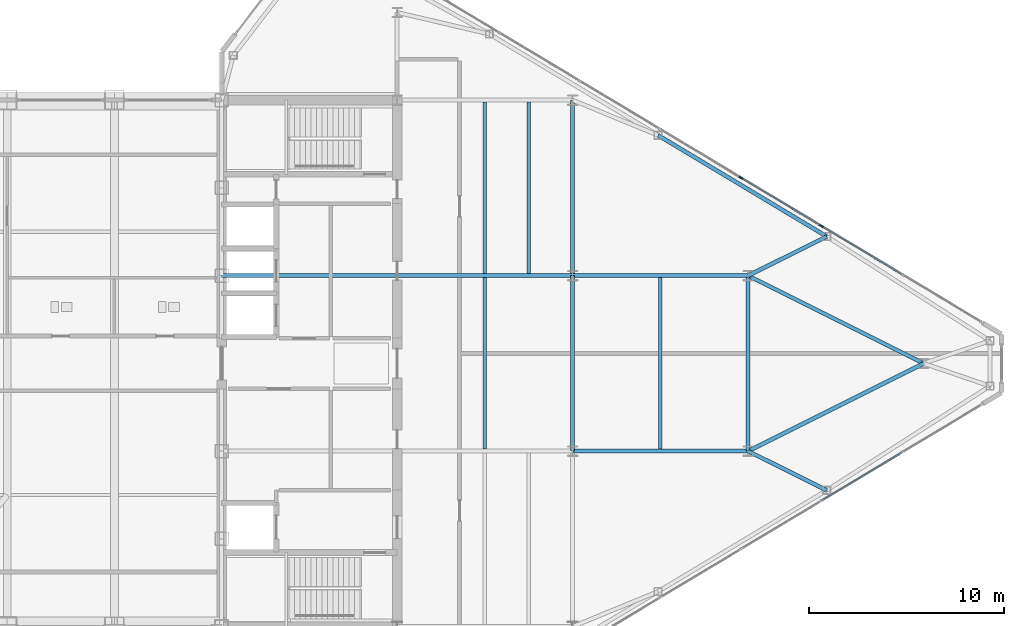
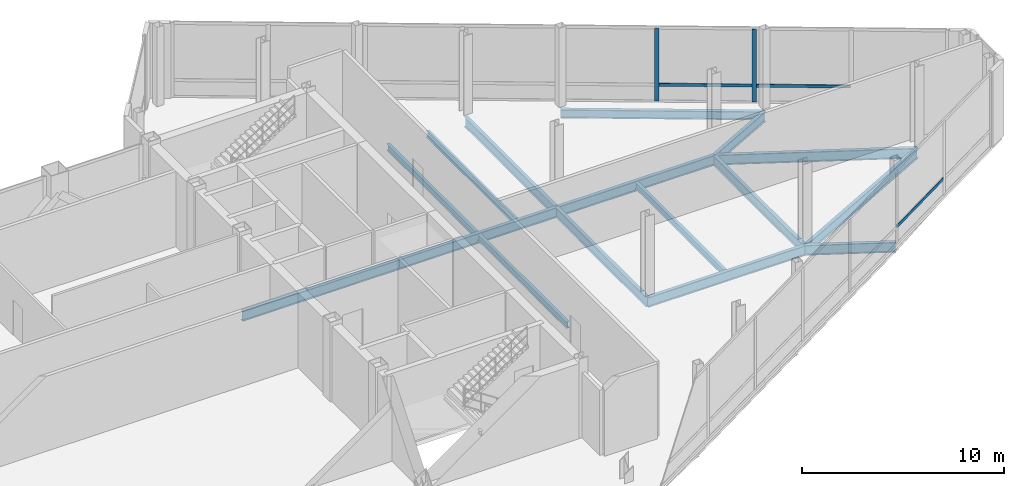
# One storey, part 15 of 29: 16 beams, 5 members, 2 elements without a shape of their own.
"""IFC4 building model written with IfcOpenShell, lengths in metres."""

from ifc_helpers import new_model, si_unit, direction, frame, origin, origin_2d, place, context, subcontext, project, spatial, rectangle, i_section, extrude, source, transform, mapped, material, layer, layer_set, material_profile, profile_set, type_object, type_shapes, element, aggregate, save


model = new_model("IFC4")

# Units and contexts
model_context = context("Model", 3, precision=1e-05, world=origin(), true_north=direction((0.0, 1.0)))
body_context = subcontext(model_context, "Body", "Model", "MODEL_VIEW")
ifc_project = project(units=[si_unit("LENGTHUNIT", "METRE"), si_unit("AREAUNIT", "SQUARE_METRE"), si_unit("VOLUMEUNIT", "CUBIC_METRE"), si_unit("PLANEANGLEUNIT", "RADIAN"), si_unit("MASSUNIT", "GRAM", prefix="KILO")], contexts=[model_context])

# Site, building, storey
site_placement = place(None, origin())
site = spatial("IfcSite", under=ifc_project, at=site_placement, CompositionType="ELEMENT")
building_placement = place(site_placement, origin())
building = spatial("IfcBuilding", under=site, at=building_placement, Name="Seokmaru Belvedere", CompositionType="ELEMENT")
storey_placement = place(building_placement, frame((0.0, 0.0, 229.800048828125)))
storey = spatial("IfcBuildingStorey", under=building, at=storey_placement, Name="L61", CompositionType="ELEMENT", Elevation=229.800048828125)

# Beams
ifc_material_1 = material(Name="Steel SM355 (355 MPa)", Category="steel")
ifc_material_profile_1 = material_profile(ifc_material_1, i_section(OverallWidth=0.199951171875, OverallDepth=0.60009765625, WebThickness=0.010986328125, FlangeThickness=0.01708984375, at=origin_2d()), Name="H-600x200x11x17")
ifc_profile_set_1 = profile_set([ifc_material_profile_1], Name="Steel SM355 (355 MPa)")
beam_type_1 = type_object("IfcBeamType", Name="Primary Floor Girder H-600", PredefinedType="BEAM", material=ifc_profile_set_1)
shared_shape_1 = source(origin(), body_context, "Body", "SweptSolid", [
    extrude(i_section(OverallWidth=0.199951171875, OverallDepth=0.60009765625, WebThickness=0.010986328125, FlangeThickness=0.01708984375, at=origin_2d()), origin(), (0.0, 0.0, 1.0), 9.0),
])
for number, where, z_axis, x_axis, name in (
    (1, (45.5, -4.5, -0.56005859375), (0.0, 1.0, 0.0), (-1.0, 0.0, 0.0), "L61 E Interior Grid Girder 2"),
    (2, (45.5, 4.5, -0.56005859375), (0.0, 1.0, 0.0), (-1.0, 0.0, 0.0), "L61 E Interior Grid Girder 3"),
    (3, (27.5, 4.5, -0.56005859375), (1.0, 0.0, 0.0), (0.0, 1.0, 0.0), "L61 E Core Tie Girder 3"),
    (4, (36.5, 4.5, -0.56005859375), (1.0, 0.0, 0.0), (0.0, 1.0, 0.0), "L61 E Wing Primary Girder 3"),
    (5, (45.5, -4.5, -0.56005859375), (1.0, 0.0, 0.0), (0.0, 1.0, 0.0), "L61 E Outer Wing Girder 1"),
    (6, (45.5, 4.5, -0.56005859375), (1.0, 0.0, 0.0), (0.0, 1.0, 0.0), "L61 E Outer Wing Girder 2"),
    (7, (54.5, -4.5, -0.56005859375), (0.0, 1.0, 0.0), (-1.0, 0.0, 0.0), "L61 E Apex Frame Girder"),
):
    element("IfcBeam", number, at=place(storey_placement, frame(where, z_axis=z_axis, x_axis=x_axis)), inside=storey, type_object=beam_type_1, Name=name, PredefinedType="BEAM", context=body_context, shape_type="MappedRepresentation", body=[
        mapped(shared_shape_1, transform((0.0, 0.0, 0.0), scale=1.0)),
    ])
shared_shape_2 = source(origin(), body_context, "Body", "SweptSolid", [
    extrude(i_section(OverallWidth=0.199951171875, OverallDepth=0.60009765625, WebThickness=0.010986328125, FlangeThickness=0.01708984375, at=origin_2d()), origin(), (0.0, 0.0, 1.0), 10.062255859375),
])
for number, where, z_axis, x_axis, name in (
    (8, (54.5, -4.5, -0.56005859375), (0.894427191, 0.4472135955, 0.0), (-0.4472135955, 0.894427191, 0.0), "L61 E Apex Converging Girder 1"),
    (9, (54.5, 4.5, -0.56005859375), (0.894427191, -0.4472135955, 0.0), (0.4472135955, 0.894427191, 0.0), "L61 E Apex Converging Girder 2"),
):
    element("IfcBeam", number, at=place(storey_placement, frame(where, z_axis=z_axis, x_axis=x_axis)), inside=storey, type_object=beam_type_1, Name=name, PredefinedType="BEAM", context=body_context, shape_type="MappedRepresentation", body=[
        mapped(shared_shape_2, transform((0.0, 0.0, 0.0), scale=1.0)),
    ])
ifc_material_profile_2 = material_profile(ifc_material_1, i_section(OverallWidth=0.18505859375, OverallDepth=0.389892578125, WebThickness=0.008056640625, FlangeThickness=0.011962890625, at=origin_2d()), Name="H-390x185x8x12")
ifc_profile_set_2 = profile_set([ifc_material_profile_2], Name="Steel SM355 (355 MPa)")
beam_type_2 = type_object("IfcBeamType", Name="Secondary Floor Joist H-350", PredefinedType="JOIST", material=ifc_profile_set_2)
shared_shape_3 = source(origin(), body_context, "Body", "SweptSolid", [
    extrude(i_section(OverallWidth=0.18505859375, OverallDepth=0.389892578125, WebThickness=0.008056640625, FlangeThickness=0.011962890625, at=origin_2d()), origin(), (0.0, 0.0, 1.0), 8.7900390625),
])
type_shapes(beam_type_2, [shared_shape_3])
for number, where, z_axis, x_axis, name in (
    (10, (43.25, 4.60498046875, -0.455078125), (0.0, 1.0, 0.0), (-1.0, 0.0, 0.0), "L61 E Wing Inner Secondary Joist 2"),
    (11, (41.0, -4.39501953125, -0.455078125), (0.0, 1.0, 0.0), (-1.0, 0.0, 0.0), "L61 E Secondary Floor Joist 2"),
    (12, (41.0, 4.60498046875, -0.455078125), (0.0, 1.0, 0.0), (-1.0, 0.0, 0.0), "L61 E Secondary Floor Joist 3"),
    (13, (50.0, -4.39501953125, -0.455078125), (0.0, 1.0, 0.0), (-1.0, 0.0, 0.0), "L61 E Outer Bay Secondary Joist"),
):
    element("IfcBeam", number, at=place(storey_placement, frame(where, z_axis=z_axis, x_axis=x_axis)), inside=storey, type_object=beam_type_2, Name=name, PredefinedType="JOIST", context=body_context, shape_type="MappedRepresentation", body=[
        mapped(shared_shape_3, transform((0.0, 0.0, 0.0), scale=1.0)),
    ])
ifc_material_profile_3 = material_profile(ifc_material_1, i_section(OverallWidth=0.199951171875, OverallDepth=0.5, WebThickness=0.010009765625, FlangeThickness=0.01611328125, at=origin_2d()), Name="H-500x200x10x16")
ifc_profile_set_3 = profile_set([ifc_material_profile_3], Name="Steel SM355 (355 MPa)")
beam_type_3 = type_object("IfcBeamType", Name="Perimeter Spandrel Beam H-500", PredefinedType="SPANDREL", material=ifc_profile_set_3)
shared_shape_4 = source(origin(), body_context, "Body", "SweptSolid", [
    extrude(i_section(OverallWidth=0.199951171875, OverallDepth=0.5, WebThickness=0.010009765625, FlangeThickness=0.01611328125, at=origin_2d()), origin(), (0.0, 0.0, 1.0), 10.087646484375),
])
type_shapes(beam_type_3, [shared_shape_4])
beam_placement = place(storey_placement, frame((49.8798828125, 11.698974609375, -0.510009765625), z_axis=(0.857488654804, -0.514502873542, 0.0), x_axis=(0.514502873542, 0.857488654804, 0.0)))
element("IfcBeam", 14, at=beam_placement, inside=storey, type_object=beam_type_3, Name="L61 E Faceted Flank Spandrel N-3", PredefinedType="SPANDREL", context=body_context, shape_type="MappedRepresentation", body=[
    mapped(shared_shape_4, transform((0.0, 0.0, 0.0), scale=1.0)),
])
shared_shape_5 = source(origin(), body_context, "Body", "SweptSolid", [
    extrude(i_section(OverallWidth=0.199951171875, OverallDepth=0.60009765625, WebThickness=0.010986328125, FlangeThickness=0.01708984375, at=origin_2d()), origin(), (0.0, 0.0, 1.0), 4.5029296875),
])
type_shapes(beam_type_1, [shared_shape_1, shared_shape_2, shared_shape_5])
for number, where, z_axis, x_axis, name in (
    (15, (58.530029296875, -6.5087890625, -0.56005859375), (-0.894979532585, 0.446107202648, 0.0), (-0.446107202648, -0.894979532585, 0.0), "L61 E Flank Radial Floor Girder S-3"),
    (16, (58.530029296875, 6.5087890625, -0.56005859375), (-0.894979532585, -0.446107202648, 0.0), (0.446107202648, -0.894979532585, 0.0), "L61 E Flank Radial Floor Girder N-3"),
):
    element("IfcBeam", number, at=place(storey_placement, frame(where, z_axis=z_axis, x_axis=x_axis)), inside=storey, type_object=beam_type_1, Name=name, PredefinedType="BEAM", context=body_context, shape_type="MappedRepresentation", body=[
        mapped(shared_shape_5, transform((0.0, 0.0, 0.0), scale=1.0)),
    ])

# Curtain wall, members
ifc_material_2 = material(Name="Bronze Triple Insulating Glass", Category="glass")
ifc_layer = layer(ifc_material_2, 0.219970703125)
ifc_layer_set = layer_set([ifc_layer], Name="Bronze Triple Insulating Glass")
curtain_wall_type = type_object("IfcCurtainWallType", Name="Sky-Gate Bridge Panorama Curtain Wall System CW-6", PredefinedType="NOTDEFINED", material=ifc_layer_set)
curtain_wall_1_placement = place(storey_placement, origin())
curtain_wall_1 = element("IfcCurtainWall", 17, at=curtain_wall_1_placement, inside=storey, type_object=curtain_wall_type, Name="L61 Curtain Wall EF3", PredefinedType="NOTDEFINED")
ifc_material_3 = material(Name="Anodised Bronze Aluminium", Category="aluminium")
ifc_material_profile_4 = material_profile(ifc_material_3, rectangle(XDim=0.080078125, YDim=0.219970703125, at=origin_2d()), Name="CW-M-80x220")
ifc_profile_set_4 = profile_set([ifc_material_profile_4], Name="Anodised Bronze Aluminium")
member_type_1 = type_object("IfcMemberType", Name="Bronze Unitised Mullion 80x220", PredefinedType="MULLION", material=ifc_profile_set_4)
shared_shape_6 = source(origin(), body_context, "Body", "SweptSolid", [
    extrude(rectangle(XDim=0.080078125, YDim=0.219970703125, at=origin_2d()), origin(), (0.0, 0.0, 1.0), 4.389892578125),
])
type_shapes(member_type_1, [shared_shape_6])
member_1_placement = place(storey_placement, frame((58.257080078125, 7.0458984375, 0.074951171875), z_axis=(0.0, 0.0, 1.0), x_axis=(-0.514494909364, -0.85749343335, 0.0)))
member_1 = element("IfcMember", 18, at=member_1_placement, type_object=member_type_1, Name="CW:L61:EF3 Mullion 3", PredefinedType="MULLION", context=body_context, shape_type="MappedRepresentation", body=[
    mapped(shared_shape_6, transform((0.0, 0.0, 0.0), scale=1.0)),
])
member_2_placement = place(storey_placement, frame((54.12841796875, 9.52294921875, 0.074951171875), z_axis=(0.0, 0.0, 1.0), x_axis=(-0.514494909364, -0.85749343335, 0.0)))
member_2 = element("IfcMember", 19, at=member_2_placement, type_object=member_type_1, Name="CW:L61:EF3 Mullion 4", PredefinedType="MULLION", context=body_context, shape_type="MappedRepresentation", body=[
    mapped(shared_shape_6, transform((0.0, 0.0, 0.0), scale=1.0)),
])

# Curtain wall, member
curtain_wall_2_placement = place(storey_placement, origin())
curtain_wall_2 = element("IfcCurtainWall", 20, at=curtain_wall_2_placement, inside=storey, type_object=curtain_wall_type, Name="L61 Curtain Wall EF1", PredefinedType="NOTDEFINED")
ifc_material_profile_5 = material_profile(ifc_material_3, rectangle(XDim=0.074951171875, YDim=0.179931640625, at=origin_2d()), Name="CW-T-75x180")
ifc_profile_set_5 = profile_set([ifc_material_profile_5], Name="Anodised Bronze Aluminium")
member_type_2 = type_object("IfcMemberType", Name="Bronze Unitised Transom 75x180", PredefinedType="USERDEFINED", material=ifc_profile_set_5)
shared_shape_7 = source(origin(), body_context, "Body", "SweptSolid", [
    extrude(rectangle(XDim=0.074951171875, YDim=0.179931640625, at=origin_2d()), origin(), (0.0, 0.0, 1.0), 4.734619140625),
])
member_3_placement = place(storey_placement, frame((58.291259765625, -7.025390625, 1.050048828125), z_axis=(0.857479275774, 0.514518504641, 0.0), x_axis=(-0.514518504641, 0.857479275774, 0.0)))
member_3 = element("IfcMember", 21, at=member_3_placement, type_object=member_type_2, Name="CW:L61:EF1 Spandrel Transom 7", ObjectType="TRANSOM", PredefinedType="USERDEFINED", context=body_context, shape_type="MappedRepresentation", body=[
    mapped(shared_shape_7, transform((0.0, 0.0, 0.0), scale=1.0)),
])
aggregate(curtain_wall_2, [member_3])

# Member
member_4_placement = place(storey_placement, frame((62.35107421875, 4.58935546875, 1.050048828125), z_axis=(-0.857479275774, 0.514518504641, 0.0), x_axis=(-0.514518504641, -0.857479275774, 0.0)))
member_4 = element("IfcMember", 22, at=member_4_placement, type_object=member_type_2, Name="CW:L61:EF3 Spandrel Transom 2", ObjectType="TRANSOM", PredefinedType="USERDEFINED", context=body_context, shape_type="MappedRepresentation", body=[
    mapped(shared_shape_7, transform((0.0, 0.0, 0.0), scale=1.0)),
])

shared_shape_8 = source(origin(), body_context, "Body", "SweptSolid", [
    extrude(rectangle(XDim=0.074951171875, YDim=0.179931640625, at=origin_2d()), origin(), (0.0, 0.0, 1.0), 4.734375),
])
type_shapes(member_type_2, [shared_shape_7, shared_shape_8])
member_5_placement = place(storey_placement, frame((58.22265625, 7.06640625, 1.050048828125), z_axis=(-0.857502025578, 0.514480588682, 0.0), x_axis=(-0.514480588682, -0.857502025578, 0.0)))
member_5 = element("IfcMember", 23, at=member_5_placement, type_object=member_type_2, Name="CW:L61:EF3 Spandrel Transom 3", ObjectType="TRANSOM", PredefinedType="USERDEFINED", context=body_context, shape_type="MappedRepresentation", body=[
    mapped(shared_shape_8, transform((0.0, 0.0, 0.0), scale=1.0)),
])

aggregate(curtain_wall_1, [member_1, member_2, member_4, member_5])

save(model, "model.ifc")
